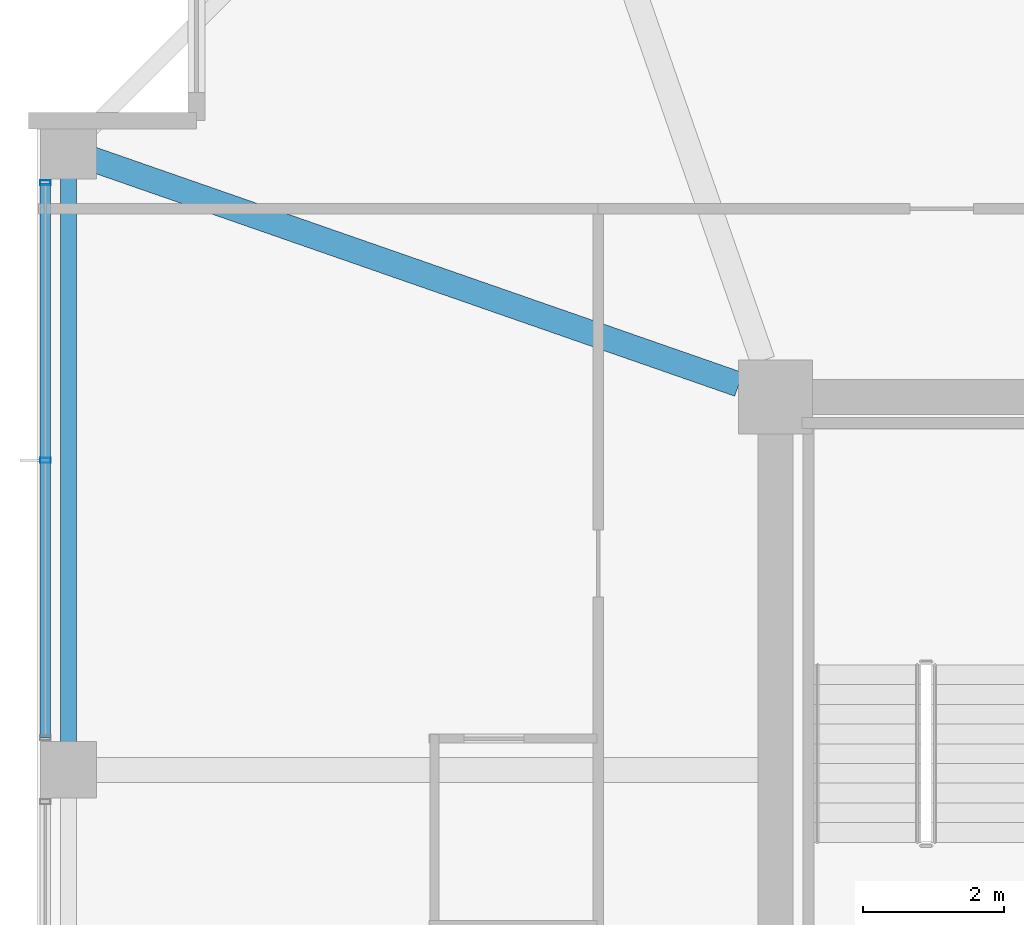
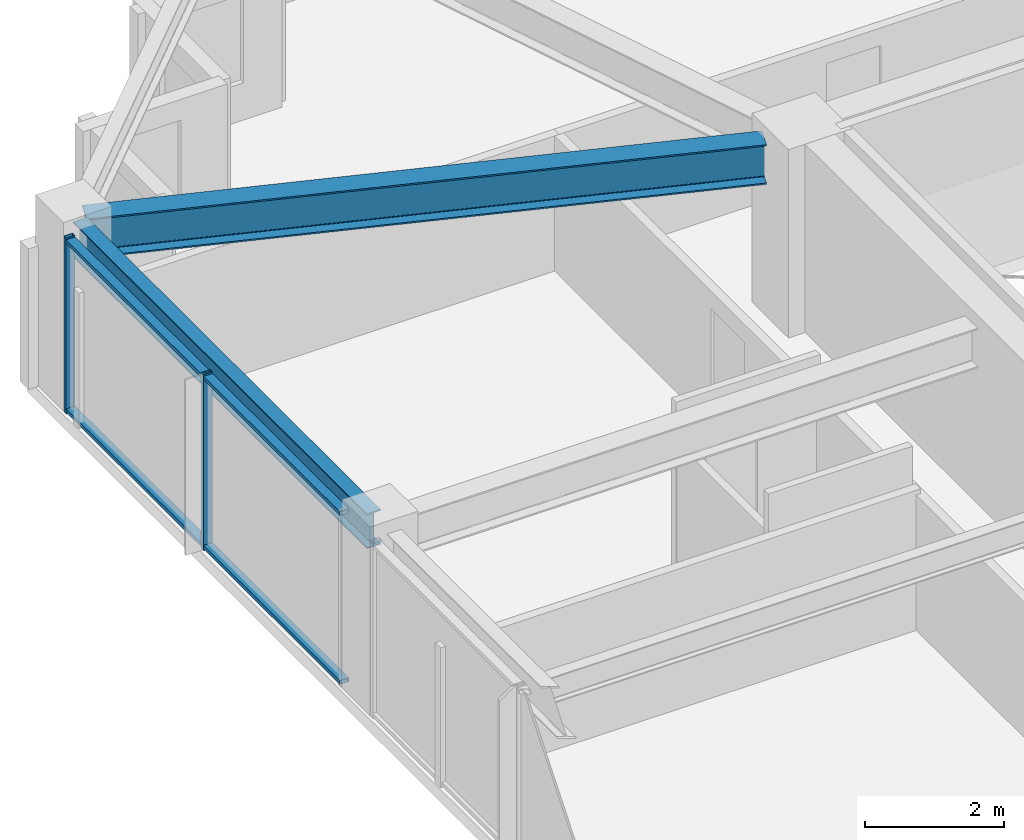
# One storey, part 14 of 36: 4 members, 2 beams, 1 element without a shape of its own.
"""IFC4 building model written with IfcOpenShell, lengths in metres."""

from ifc_helpers import new_model, si_unit, direction, frame, origin, origin_2d, place, context, subcontext, project, spatial, hollow_rectangle, i_section, extrude, material, material_profile, profile_set, type_object, element, aggregate, save


model = new_model("IFC4")

# Units and contexts
model_context = context("Model", 3, precision=1e-05, world=origin(), true_north=direction((0.0, 1.0)))
body_context = subcontext(model_context, "Body", "Model", "MODEL_VIEW")
ifc_project = project(units=[si_unit("LENGTHUNIT", "METRE"), si_unit("AREAUNIT", "SQUARE_METRE"), si_unit("VOLUMEUNIT", "CUBIC_METRE"), si_unit("PLANEANGLEUNIT", "RADIAN"), si_unit("MASSUNIT", "GRAM", prefix="KILO")], contexts=[model_context])

# Site, building, storey
site_placement = place(None, origin())
site = spatial("IfcSite", under=ifc_project, at=site_placement, CompositionType="ELEMENT")
building_placement = place(site_placement, origin())
building = spatial("IfcBuilding", under=site, at=building_placement, Name="Kolvaren Belvedere", CompositionType="ELEMENT")
storey_placement = place(building_placement, frame((0.0, 0.0, 196.5)))
storey = spatial("IfcBuildingStorey", under=building, at=storey_placement, Name="L57", CompositionType="ELEMENT", Elevation=196.5)

# Beams
ifc_material_1 = material(Name="Structural steel ASTM A992 Grade 50", Category="steel")
ifc_material_profile_1 = material_profile(ifc_material_1, i_section(OverallWidth=0.35498046875, OverallDepth=0.696044921875, WebThickness=0.015380859375, FlangeThickness=0.02490234375, FilletRadius=0.02197265625, at=origin_2d()), Name="W27X146")
ifc_profile_set_1 = profile_set([ifc_material_profile_1], Name="Structural steel ASTM A992 Grade 50")
beam_type_1 = type_object("IfcBeamType", Name="BM-GIRD-W27X146", PredefinedType="BEAM", material=ifc_profile_set_1)
beam_1_placement = place(storey_placement, frame((-10.41943359375, 10.080810546875, 2.73193359375), z_axis=(-0.944365399758, 0.328898147971, 0.0), x_axis=(-0.328898147971, -0.944365399758, 0.0)))
element("IfcBeam", 1, at=beam_1_placement, inside=storey, type_object=beam_type_1, Name="L57 Corner Core-to-Perimeter Girder CC4-W4", PredefinedType="BEAM", context=body_context, shape_type="SweptSolid", body=[
    extrude(i_section(OverallWidth=0.35498046875, OverallDepth=0.696044921875, WebThickness=0.015380859375, FlangeThickness=0.02490234375, FilletRadius=0.02197265625, at=origin_2d()), origin(), (0.0, 0.0, 1.0), 9.931884765625),
])
ifc_material_2 = material(Name="Structural steel ASTM A992 Grade 50", Category="steel")
ifc_material_profile_2 = material_profile(ifc_material_2, i_section(OverallWidth=0.22900390625, OverallDepth=0.612060546875, WebThickness=0.011962890625, FlangeThickness=0.01953125, FilletRadius=0.01806640625, at=origin_2d()), Name="W24X84")
ifc_profile_set_2 = profile_set([ifc_material_profile_2], Name="Structural steel ASTM A992 Grade 50")
beam_type_2 = type_object("IfcBeamType", Name="BM-SPAN-W24X84", PredefinedType="SPANDREL", material=ifc_profile_set_2)
beam_2_placement = place(storey_placement, frame((-19.949951171875, 13.219970703125, 2.77392578125), z_axis=(0.0, -1.0, 0.0), x_axis=(1.0, 0.0, 0.0)))
element("IfcBeam", 2, at=beam_2_placement, inside=storey, type_object=beam_type_2, Name="L57 Perimeter Spandrel W4-W3", PredefinedType="SPANDREL", context=body_context, shape_type="SweptSolid", body=[
    extrude(i_section(OverallWidth=0.22900390625, OverallDepth=0.612060546875, WebThickness=0.011962890625, FlangeThickness=0.01953125, FilletRadius=0.01806640625, at=origin_2d()), origin(), (0.0, 0.0, 1.0), 8.43994140625),
])

# Curtain wall, members
ifc_material_3 = material(Name="Anodised pale-metal aluminium AA 6063-T6", Category="aluminium")
curtain_wall_type = type_object("IfcCurtainWallType", Name="CW-Z5-HIGH", PredefinedType="NOTDEFINED", material=ifc_material_3)
curtain_wall_placement = place(storey_placement, origin())
curtain_wall = element("IfcCurtainWall", 3, at=curtain_wall_placement, inside=storey, type_object=curtain_wall_type, Name="L57 Unitised Curtain Wall FCW-L57-W-B3", PredefinedType="NOTDEFINED")
ifc_material_4 = material(Name="Anodised pale-metal aluminium AA 6063-T6", Category="aluminium")
ifc_material_profile_3 = material_profile(ifc_material_4, hollow_rectangle(XDim=0.070068359375, YDim=0.14990234375, WallThickness=0.004150390625, at=origin_2d()), Name="ALU-MUL-150X70")
ifc_profile_set_3 = profile_set([ifc_material_profile_3], Name="Anodised pale-metal aluminium AA 6063-T6")
member_type_1 = type_object("IfcMemberType", Name="CW-MUL-150", PredefinedType="MULLION", material=ifc_profile_set_3)
member_1_placement = place(storey_placement, frame((-20.280029296875, 9.0, 0.0), z_axis=(0.0, 0.0, 1.0), x_axis=(0.0, 1.0, 0.0)))
member_1 = element("IfcMember", 4, at=member_1_placement, type_object=member_type_1, Name="FCW-L57-W-B3 Unitised Mullion 2", PredefinedType="MULLION", context=body_context, shape_type="SweptSolid", body=[
    extrude(hollow_rectangle(XDim=0.070068359375, YDim=0.14990234375, WallThickness=0.004150390625, at=origin_2d()), origin(), (0.0, 0.0, 1.0), 3.080078125),
])
member_2_placement = place(storey_placement, frame((-20.280029296875, 12.945068359375, 0.0), z_axis=(0.0, 0.0, 1.0), x_axis=(0.0, 1.0, 0.0)))
member_2 = element("IfcMember", 5, at=member_2_placement, type_object=member_type_1, Name="FCW-L57-W-B3 Unitised Mullion 3", PredefinedType="MULLION", context=body_context, shape_type="SweptSolid", body=[
    extrude(hollow_rectangle(XDim=0.070068359375, YDim=0.14990234375, WallThickness=0.004150390625, at=origin_2d()), origin(), (0.0, 0.0, 1.0), 3.080078125),
])
ifc_material_5 = material(Name="Anodised pale-metal aluminium AA 6063-T6", Category="aluminium")
ifc_material_profile_4 = material_profile(ifc_material_5, hollow_rectangle(XDim=0.06494140625, YDim=0.14990234375, WallThickness=0.00390625, at=origin_2d()), Name="ALU-TRN-150X65")
ifc_profile_set_4 = profile_set([ifc_material_profile_4], Name="Anodised pale-metal aluminium AA 6063-T6")
member_type_2 = type_object("IfcMemberType", Name="CW-TRN-150", PredefinedType="USERDEFINED", material=ifc_profile_set_4)
member_3_placement = place(storey_placement, frame((-20.280029296875, 5.054931640625, 0.06005859375), z_axis=(0.0, 1.0, 0.0), x_axis=(0.0, 0.0, 1.0)))
member_3 = element("IfcMember", 6, at=member_3_placement, type_object=member_type_2, Name="FCW-L57-W-B3 Sill Transom", ObjectType="TRANSOM", PredefinedType="USERDEFINED", context=body_context, shape_type="SweptSolid", body=[
    extrude(hollow_rectangle(XDim=0.06494140625, YDim=0.14990234375, WallThickness=0.00390625, at=origin_2d()), origin(), (0.0, 0.0, 1.0), 7.89013671875),
])
member_4_placement = place(storey_placement, frame((-20.280029296875, 5.054931640625, 3.02001953125), z_axis=(0.0, 1.0, 0.0), x_axis=(0.0, 0.0, 1.0)))
member_4 = element("IfcMember", 7, at=member_4_placement, type_object=member_type_2, Name="FCW-L57-W-B3 Head Transom", ObjectType="TRANSOM", PredefinedType="USERDEFINED", context=body_context, shape_type="SweptSolid", body=[
    extrude(hollow_rectangle(XDim=0.06494140625, YDim=0.14990234375, WallThickness=0.00390625, at=origin_2d()), origin(), (0.0, 0.0, 1.0), 7.89013671875),
])
aggregate(curtain_wall, [member_1, member_2, member_3, member_4])

save(model, "model.ifc")
